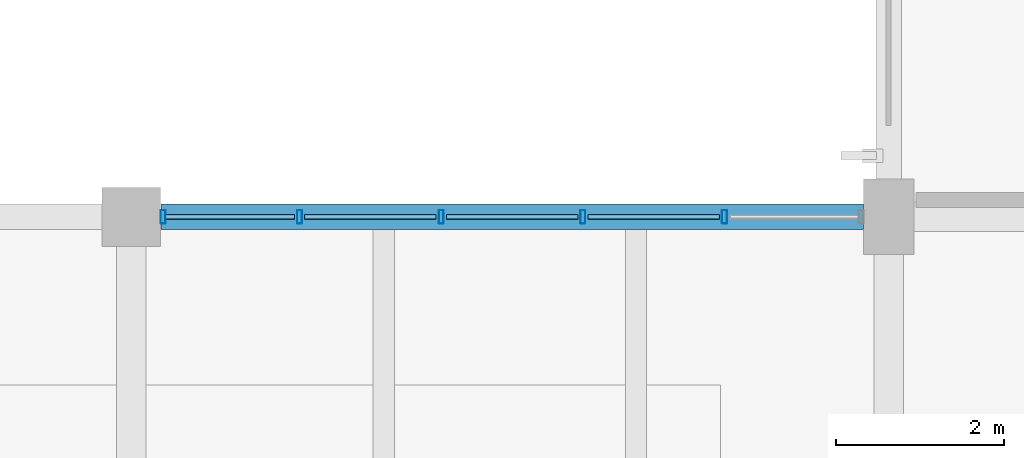
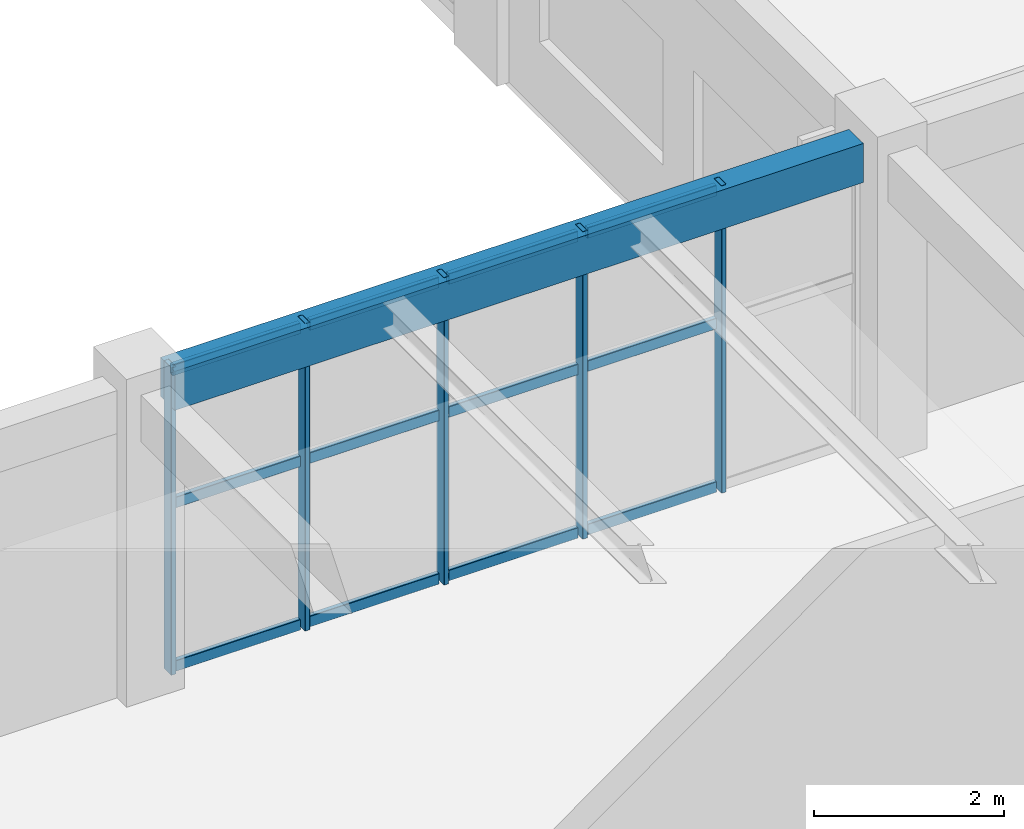
# One storey, part 69 of 128: 17 members, 1 beam, 1 element without a shape of its own.
"""IFC4 building model written with IfcOpenShell, lengths in metres."""

from ifc_helpers import new_model, si_unit, derived_unit, direction, frame, origin, origin_2d, place, context, subcontext, project, spatial, rectangle, hollow_rectangle, extrude, material, material_profile, profile_set, type_object, element, aggregate, save


model = new_model("IFC4")

# Units and contexts
model_context = context("Model", 3, precision=1e-05, world=origin(), true_north=direction((0.0, 1.0)))
body_context = subcontext(model_context, "Body", "Model", "MODEL_VIEW")
ifc_project = project(units=[si_unit("LENGTHUNIT", "METRE"), si_unit("AREAUNIT", "SQUARE_METRE"), si_unit("VOLUMEUNIT", "CUBIC_METRE"), si_unit("PLANEANGLEUNIT", "RADIAN"), si_unit("MASSUNIT", "GRAM", prefix="KILO"), derived_unit("THERMALTRANSMITTANCEUNIT", [(si_unit("MASSUNIT", "GRAM", prefix="KILO"), 1), (si_unit("TIMEUNIT", "SECOND"), -3), (si_unit("THERMODYNAMICTEMPERATUREUNIT", "KELVIN"), -1)])], contexts=[model_context])

# Site, building, storey
site_placement = place(None, origin())
site = spatial("IfcSite", under=ifc_project, at=site_placement, CompositionType="ELEMENT")
building_placement = place(site_placement, origin())
building = spatial("IfcBuilding", under=site, at=building_placement, Name="Zhenchuan Archway Interchange", CompositionType="ELEMENT")
storey_placement = place(building_placement, frame((0.0, 0.0, 14.39990234375)))
storey = spatial("IfcBuildingStorey", under=building, at=storey_placement, Name="L03", CompositionType="ELEMENT", Elevation=14.39990234375)

# Curtain wall, members
ifc_material_1 = material(Name="Anodised Aluminium", Category="aluminium")
curtain_wall_type = type_object("IfcCurtainWallType", Name="CW_UNIT_4", PredefinedType="NOTDEFINED", material=ifc_material_1)
curtain_wall_placement = place(storey_placement, origin())
curtain_wall = element("IfcCurtainWall", 1, at=curtain_wall_placement, inside=storey, type_object=curtain_wall_type, Name="Unitised curtain wall CW:L03:167", PredefinedType="NOTDEFINED")
ifc_material_profile_1 = material_profile(ifc_material_1, hollow_rectangle(XDim=0.06005859375, YDim=0.159912109375, WallThickness=0.00390625, InnerFilletRadius=0.00390625, OuterFilletRadius=0.008056640625, at=origin_2d()), Name="ALU 160x60x4")
ifc_profile_set_1 = profile_set([ifc_material_profile_1], Name="Anodised Aluminium")
member_type_1 = type_object("IfcMemberType", Name="CW_MUL_150", PredefinedType="MULLION", material=ifc_profile_set_1)
member_1_placement = place(storey_placement, frame((135.3779296875, 24.0, 0.0), z_axis=(0.0, 0.0, 1.0), x_axis=(1.0, 0.0, 0.0)))
member_1 = element("IfcMember", 2, at=member_1_placement, type_object=member_type_1, Name="CW:L03:167 mullion 0", PredefinedType="MULLION", context=body_context, shape_type="SweptSolid", body=[
    extrude(hollow_rectangle(XDim=0.06005859375, YDim=0.159912109375, WallThickness=0.00390625, InnerFilletRadius=0.00390625, OuterFilletRadius=0.008056640625, at=origin_2d()), origin(), (0.0, 0.0, 1.0), 3.940185546875),
])
member_2_placement = place(storey_placement, frame((137.000732421875, 24.0, 0.0), z_axis=(0.0, 0.0, 1.0), x_axis=(1.0, 0.0, 0.0)))
member_2 = element("IfcMember", 3, at=member_2_placement, type_object=member_type_1, Name="CW:L03:167 mullion 1", PredefinedType="MULLION", context=body_context, shape_type="SweptSolid", body=[
    extrude(hollow_rectangle(XDim=0.06005859375, YDim=0.159912109375, WallThickness=0.00390625, InnerFilletRadius=0.00390625, OuterFilletRadius=0.008056640625, at=origin_2d()), origin(), (0.0, 0.0, 1.0), 3.940185546875),
])
member_3_placement = place(storey_placement, frame((138.68359375, 24.0, 0.0), z_axis=(0.0, 0.0, 1.0), x_axis=(1.0, 0.0, 0.0)))
member_3 = element("IfcMember", 4, at=member_3_placement, type_object=member_type_1, Name="CW:L03:167 mullion 2", PredefinedType="MULLION", context=body_context, shape_type="SweptSolid", body=[
    extrude(hollow_rectangle(XDim=0.06005859375, YDim=0.159912109375, WallThickness=0.00390625, InnerFilletRadius=0.00390625, OuterFilletRadius=0.008056640625, at=origin_2d()), origin(), (0.0, 0.0, 1.0), 3.940185546875),
])
member_4_placement = place(storey_placement, frame((140.366455078125, 24.0, 0.0), z_axis=(0.0, 0.0, 1.0), x_axis=(1.0, 0.0, 0.0)))
member_4 = element("IfcMember", 5, at=member_4_placement, type_object=member_type_1, Name="CW:L03:167 mullion 3", PredefinedType="MULLION", context=body_context, shape_type="SweptSolid", body=[
    extrude(hollow_rectangle(XDim=0.06005859375, YDim=0.159912109375, WallThickness=0.00390625, InnerFilletRadius=0.00390625, OuterFilletRadius=0.008056640625, at=origin_2d()), origin(), (0.0, 0.0, 1.0), 3.940185546875),
])
member_5_placement = place(storey_placement, frame((142.04931640625, 24.0, 0.0), z_axis=(0.0, 0.0, 1.0), x_axis=(1.0, 0.0, 0.0)))
member_5 = element("IfcMember", 6, at=member_5_placement, type_object=member_type_1, Name="CW:L03:167 mullion 4", PredefinedType="MULLION", context=body_context, shape_type="SweptSolid", body=[
    extrude(hollow_rectangle(XDim=0.06005859375, YDim=0.159912109375, WallThickness=0.00390625, InnerFilletRadius=0.00390625, OuterFilletRadius=0.008056640625, at=origin_2d()), origin(), (0.0, 0.0, 1.0), 3.940185546875),
])
ifc_material_profile_2 = material_profile(ifc_material_1, hollow_rectangle(XDim=0.06005859375, YDim=0.139892578125, WallThickness=0.00341796875, InnerFilletRadius=0.00341796875, OuterFilletRadius=0.007080078125, at=origin_2d()), Name="ALU 140x60x3.5")
ifc_profile_set_2 = profile_set([ifc_material_profile_2], Name="Anodised Aluminium")
member_type_2 = type_object("IfcMemberType", Name="CW_TRN_140", PredefinedType="USERDEFINED", material=ifc_profile_set_2)
member_6_placement = place(storey_placement, frame((135.39794921875, 24.0, 0.06005859375), z_axis=(1.0, 0.0, 0.0), x_axis=(0.0, 1.0, 0.0)))
member_6 = element("IfcMember", 7, at=member_6_placement, type_object=member_type_2, Name="CW:L03:167 transom 0-1", ObjectType="TRANSOM", PredefinedType="USERDEFINED", context=body_context, shape_type="SweptSolid", body=[
    extrude(hollow_rectangle(XDim=0.06005859375, YDim=0.139892578125, WallThickness=0.00341796875, InnerFilletRadius=0.00341796875, OuterFilletRadius=0.007080078125, at=origin_2d()), origin(), (0.0, 0.0, 1.0), 1.54296875),
])
member_7_placement = place(storey_placement, frame((135.39794921875, 24.0, 2.156005859375), z_axis=(1.0, 0.0, 0.0), x_axis=(0.0, 1.0, 0.0)))
member_7 = element("IfcMember", 8, at=member_7_placement, type_object=member_type_2, Name="CW:L03:167 transom 0-2", ObjectType="TRANSOM", PredefinedType="USERDEFINED", context=body_context, shape_type="SweptSolid", body=[
    extrude(hollow_rectangle(XDim=0.06005859375, YDim=0.139892578125, WallThickness=0.00341796875, InnerFilletRadius=0.00341796875, OuterFilletRadius=0.007080078125, at=origin_2d()), origin(), (0.0, 0.0, 1.0), 1.54296875),
])
member_8_placement = place(storey_placement, frame((135.39794921875, 24.0, 3.860107421875), z_axis=(1.0, 0.0, 0.0), x_axis=(0.0, 1.0, 0.0)))
member_8 = element("IfcMember", 9, at=member_8_placement, type_object=member_type_2, Name="CW:L03:167 transom 0-3", ObjectType="TRANSOM", PredefinedType="USERDEFINED", context=body_context, shape_type="SweptSolid", body=[
    extrude(hollow_rectangle(XDim=0.06005859375, YDim=0.139892578125, WallThickness=0.00341796875, InnerFilletRadius=0.00341796875, OuterFilletRadius=0.007080078125, at=origin_2d()), origin(), (0.0, 0.0, 1.0), 1.54296875),
])
member_9_placement = place(storey_placement, frame((137.060791015625, 24.0, 0.06005859375), z_axis=(1.0, 0.0, 0.0), x_axis=(0.0, 1.0, 0.0)))
member_9 = element("IfcMember", 10, at=member_9_placement, type_object=member_type_2, Name="CW:L03:167 transom 1-1", ObjectType="TRANSOM", PredefinedType="USERDEFINED", context=body_context, shape_type="SweptSolid", body=[
    extrude(hollow_rectangle(XDim=0.06005859375, YDim=0.139892578125, WallThickness=0.00341796875, InnerFilletRadius=0.00341796875, OuterFilletRadius=0.007080078125, at=origin_2d()), origin(), (0.0, 0.0, 1.0), 1.562744140625),
])
member_10_placement = place(storey_placement, frame((137.060791015625, 24.0, 2.156005859375), z_axis=(1.0, 0.0, 0.0), x_axis=(0.0, 1.0, 0.0)))
member_10 = element("IfcMember", 11, at=member_10_placement, type_object=member_type_2, Name="CW:L03:167 transom 1-2", ObjectType="TRANSOM", PredefinedType="USERDEFINED", context=body_context, shape_type="SweptSolid", body=[
    extrude(hollow_rectangle(XDim=0.06005859375, YDim=0.139892578125, WallThickness=0.00341796875, InnerFilletRadius=0.00341796875, OuterFilletRadius=0.007080078125, at=origin_2d()), origin(), (0.0, 0.0, 1.0), 1.562744140625),
])
member_11_placement = place(storey_placement, frame((137.060791015625, 24.0, 3.860107421875), z_axis=(1.0, 0.0, 0.0), x_axis=(0.0, 1.0, 0.0)))
member_11 = element("IfcMember", 12, at=member_11_placement, type_object=member_type_2, Name="CW:L03:167 transom 1-3", ObjectType="TRANSOM", PredefinedType="USERDEFINED", context=body_context, shape_type="SweptSolid", body=[
    extrude(hollow_rectangle(XDim=0.06005859375, YDim=0.139892578125, WallThickness=0.00341796875, InnerFilletRadius=0.00341796875, OuterFilletRadius=0.007080078125, at=origin_2d()), origin(), (0.0, 0.0, 1.0), 1.562744140625),
])
member_12_placement = place(storey_placement, frame((138.74365234375, 24.0, 0.06005859375), z_axis=(1.0, 0.0, 0.0), x_axis=(0.0, 1.0, 0.0)))
member_12 = element("IfcMember", 13, at=member_12_placement, type_object=member_type_2, Name="CW:L03:167 transom 2-1", ObjectType="TRANSOM", PredefinedType="USERDEFINED", context=body_context, shape_type="SweptSolid", body=[
    extrude(hollow_rectangle(XDim=0.06005859375, YDim=0.139892578125, WallThickness=0.00341796875, InnerFilletRadius=0.00341796875, OuterFilletRadius=0.007080078125, at=origin_2d()), origin(), (0.0, 0.0, 1.0), 1.562744140625),
])
member_13_placement = place(storey_placement, frame((138.74365234375, 24.0, 2.156005859375), z_axis=(1.0, 0.0, 0.0), x_axis=(0.0, 1.0, 0.0)))
member_13 = element("IfcMember", 14, at=member_13_placement, type_object=member_type_2, Name="CW:L03:167 transom 2-2", ObjectType="TRANSOM", PredefinedType="USERDEFINED", context=body_context, shape_type="SweptSolid", body=[
    extrude(hollow_rectangle(XDim=0.06005859375, YDim=0.139892578125, WallThickness=0.00341796875, InnerFilletRadius=0.00341796875, OuterFilletRadius=0.007080078125, at=origin_2d()), origin(), (0.0, 0.0, 1.0), 1.562744140625),
])
member_14_placement = place(storey_placement, frame((138.74365234375, 24.0, 3.860107421875), z_axis=(1.0, 0.0, 0.0), x_axis=(0.0, 1.0, 0.0)))
member_14 = element("IfcMember", 15, at=member_14_placement, type_object=member_type_2, Name="CW:L03:167 transom 2-3", ObjectType="TRANSOM", PredefinedType="USERDEFINED", context=body_context, shape_type="SweptSolid", body=[
    extrude(hollow_rectangle(XDim=0.06005859375, YDim=0.139892578125, WallThickness=0.00341796875, InnerFilletRadius=0.00341796875, OuterFilletRadius=0.007080078125, at=origin_2d()), origin(), (0.0, 0.0, 1.0), 1.562744140625),
])
member_15_placement = place(storey_placement, frame((140.426513671875, 24.0, 0.06005859375), z_axis=(1.0, 0.0, 0.0), x_axis=(0.0, 1.0, 0.0)))
member_15 = element("IfcMember", 16, at=member_15_placement, type_object=member_type_2, Name="CW:L03:167 transom 3-1", ObjectType="TRANSOM", PredefinedType="USERDEFINED", context=body_context, shape_type="SweptSolid", body=[
    extrude(hollow_rectangle(XDim=0.06005859375, YDim=0.139892578125, WallThickness=0.00341796875, InnerFilletRadius=0.00341796875, OuterFilletRadius=0.007080078125, at=origin_2d()), origin(), (0.0, 0.0, 1.0), 1.562744140625),
])
member_16_placement = place(storey_placement, frame((140.426513671875, 24.0, 2.156005859375), z_axis=(1.0, 0.0, 0.0), x_axis=(0.0, 1.0, 0.0)))
member_16 = element("IfcMember", 17, at=member_16_placement, type_object=member_type_2, Name="CW:L03:167 transom 3-2", ObjectType="TRANSOM", PredefinedType="USERDEFINED", context=body_context, shape_type="SweptSolid", body=[
    extrude(hollow_rectangle(XDim=0.06005859375, YDim=0.139892578125, WallThickness=0.00341796875, InnerFilletRadius=0.00341796875, OuterFilletRadius=0.007080078125, at=origin_2d()), origin(), (0.0, 0.0, 1.0), 1.562744140625),
])
member_17_placement = place(storey_placement, frame((140.426513671875, 24.0, 3.860107421875), z_axis=(1.0, 0.0, 0.0), x_axis=(0.0, 1.0, 0.0)))
member_17 = element("IfcMember", 18, at=member_17_placement, type_object=member_type_2, Name="CW:L03:167 transom 3-3", ObjectType="TRANSOM", PredefinedType="USERDEFINED", context=body_context, shape_type="SweptSolid", body=[
    extrude(hollow_rectangle(XDim=0.06005859375, YDim=0.139892578125, WallThickness=0.00341796875, InnerFilletRadius=0.00341796875, OuterFilletRadius=0.007080078125, at=origin_2d()), origin(), (0.0, 0.0, 1.0), 1.562744140625),
])
aggregate(curtain_wall, [member_1, member_2, member_3, member_4, member_5, member_6, member_7, member_8, member_9, member_10, member_11, member_12, member_13, member_14, member_15, member_16, member_17])

# Beam
ifc_material_2 = material(Name="Concrete C40", Category="concrete")
ifc_material_profile_3 = material_profile(ifc_material_2, rectangle(XDim=0.300048828125, YDim=0.5, at=origin_2d()), Name="RC 300x500")
ifc_profile_set_3 = profile_set([ifc_material_profile_3], Name="Concrete C40")
beam_type = type_object("IfcBeamType", Name="SP_RC_300x500", PredefinedType="SPANDREL", material=ifc_profile_set_3)
beam_placement = place(storey_placement, frame((135.35009765625, 24.0, 3.690185546875), z_axis=(1.0, 0.0, 0.0), x_axis=(0.0, 1.0, 0.0)))
element("IfcBeam", 19, at=beam_placement, inside=storey, type_object=beam_type, Name="Beam D:16-17 (L03)", PredefinedType="SPANDREL", context=body_context, shape_type="SweptSolid", body=[
    extrude(rectangle(XDim=0.300048828125, YDim=0.5, at=origin_2d()), origin(), (0.0, 0.0, 1.0), 8.349853515625),
])

save(model, "model.ifc")
